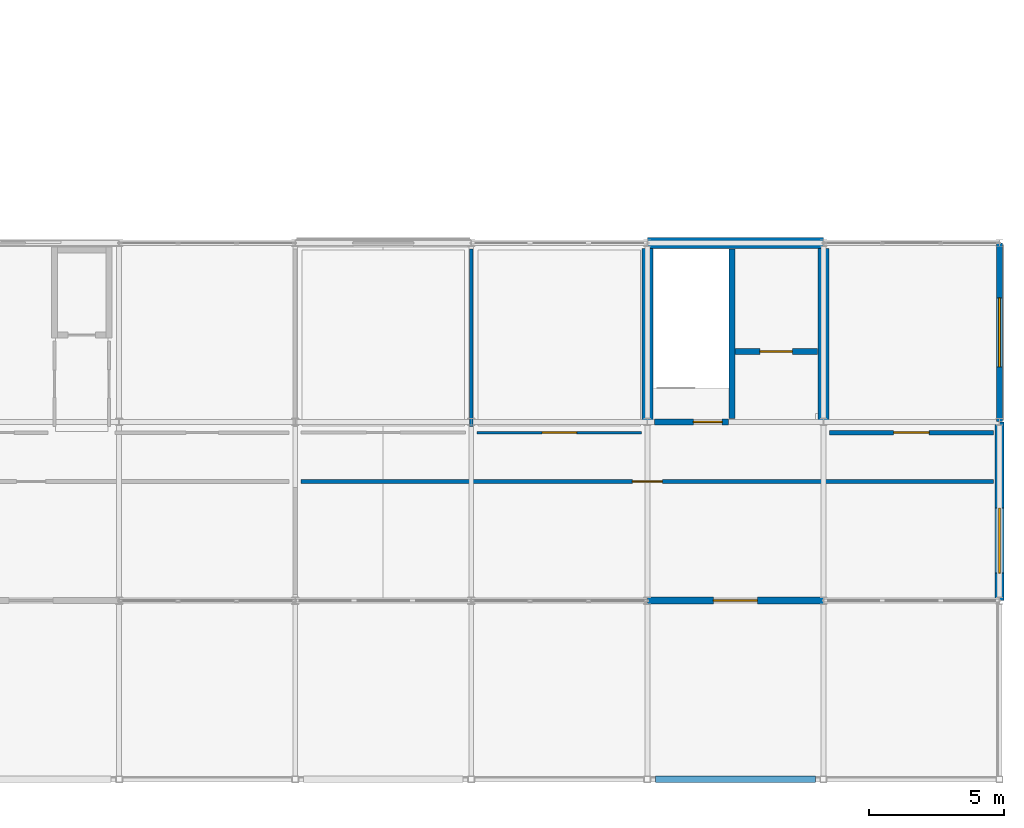
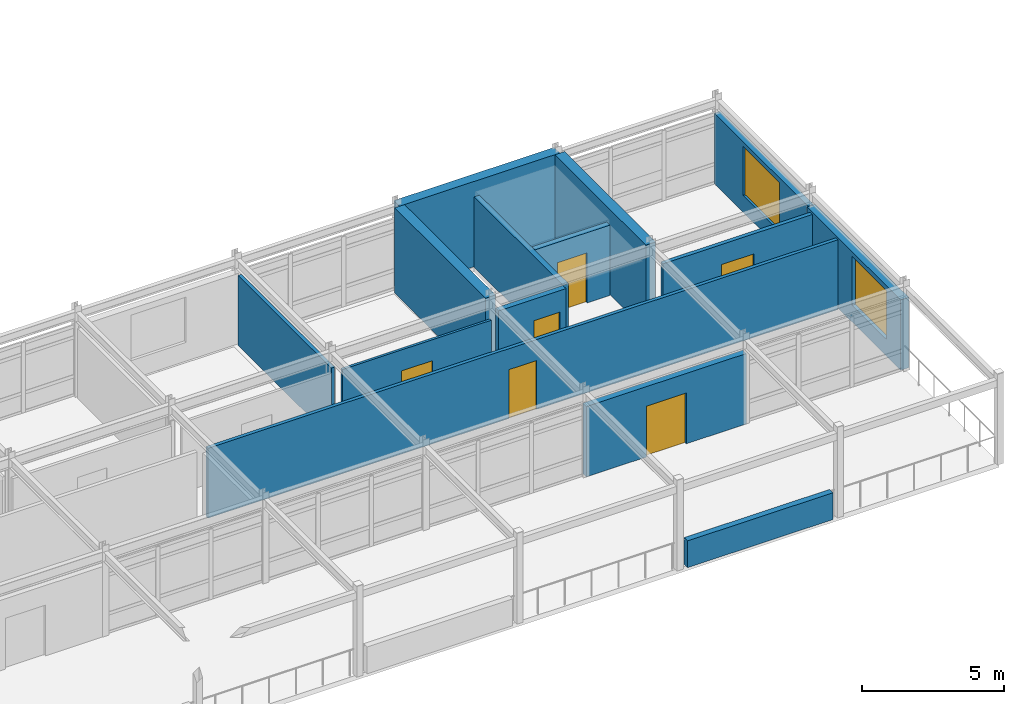
# One storey, part 17 of 20: 14 walls, 6 doors, 2 windows, 8 openings.
"""IFC4 building model written with IfcOpenShell, lengths in metres."""

from ifc_helpers import new_model, si_unit, direction, frame, frame_2d, origin, place, context, subcontext, project, spatial, rectangle, extrude, material, layer, layer_set, type_object, element, fill, save


model = new_model("IFC4")

# Units and contexts
model_context = context("Model", 3, precision=1e-05, world=origin(), true_north=direction((0.0, 1.0)))
body_context = subcontext(model_context, "Body", "Model", "MODEL_VIEW")
ifc_project = project(units=[si_unit("LENGTHUNIT", "METRE"), si_unit("AREAUNIT", "SQUARE_METRE"), si_unit("VOLUMEUNIT", "CUBIC_METRE"), si_unit("PLANEANGLEUNIT", "RADIAN"), si_unit("MASSUNIT", "GRAM", prefix="KILO")], contexts=[model_context])

# Site, building, storey
site_placement = place(None, origin())
site = spatial("IfcSite", under=ifc_project, at=site_placement, CompositionType="ELEMENT")
building_placement = place(site_placement, origin())
building = spatial("IfcBuilding", under=site, at=building_placement, Name="Trelmorton Wharf Fire Station", CompositionType="ELEMENT")
storey_placement = place(building_placement, frame((0.0, 0.0, 21.300048828125)))
storey = spatial("IfcBuildingStorey", under=building, at=storey_placement, Name="L05", CompositionType="ELEMENT", Elevation=21.300048828125)

# Wall
ifc_material_1 = material(Name="Signal-red architectural steel Grade 350", Category="steel")
ifc_layer_1 = layer(ifc_material_1, 0.239990234375)
ifc_layer_set_1 = layer_set([ifc_layer_1], Name="Signal-red architectural steel Grade 350")
wall_type_1 = type_object("IfcWallType", Name="EW_PARA_RED", PredefinedType="PARAPET", material=ifc_layer_set_1)
wall_1_placement = place(storey_placement, frame((149.199951171875, 7.800048828125, 0.0), z_axis=(0.0, 0.0, 1.0), x_axis=(-1.0, 0.0, 0.0)))
element("IfcWall", 1, at=wall_1_placement, inside=storey, type_object=wall_type_1, Name="WL-PARA-NOTCH-03", PredefinedType="PARAPET", context=body_context, shape_type="SweptSolid", body=[
    extrude(rectangle(XDim=5.89990234375, YDim=0.239990234375, at=frame_2d((2.949951171875, 0.0))), origin(), (0.0, 0.0, 1.0), 1.14990234375),
])

# Wall, opening, window
ifc_material_2 = material(Name="Precast concrete 45 MPa", Category="concrete")
ifc_layer_2 = layer(ifc_material_2, 0.22998046875)
ifc_layer_set_2 = layer_set([ifc_layer_2], Name="Precast concrete 45 MPa")
wall_type_2 = type_object("IfcWallType", Name="EW_PREC_230", PredefinedType="SOLIDWALL", material=ifc_layer_set_2)
wall_2_placement = place(storey_placement, frame((156.0, 27.594970703125, 0.0), z_axis=(0.0, 0.0, 1.0), x_axis=(0.0, -1.0, 0.0)))
wall_2 = element("IfcWall", 2, at=wall_2_placement, inside=storey, type_object=wall_type_2, Name="EW-V5-L05-0120", PredefinedType="SOLIDWALL", context=body_context, shape_type="SweptSolid", body=[
    extrude(rectangle(XDim=6.590087890625, YDim=0.22998046875, at=frame_2d((3.294921875, 0.0))), origin(), (0.0, 0.0, 1.0), 3.02001953125),
])
opening_1_placement = place(wall_2_placement, frame((2.02001953125, 0.0, 0.719970703125)))
opening_1 = element("IfcOpeningElement", 3, at=opening_1_placement, cuts=wall_2, Name="Opening W02", PredefinedType="OPENING", context=body_context, shape_type="SweptSolid", body=[
    extrude(rectangle(XDim=2.550048828125, YDim=2.10009765625, at=frame_2d((1.27490234375, 1.050048828125))), frame((0.0, 0.125, 0.0), z_axis=(0.0, -1.0, 0.0), x_axis=(1.0, 0.0, 0.0)), (0.0, 0.0, 1.0), 0.25),
])
ifc_material_3 = material(Name="Tempered low-E double glazing", Category="glass")
window_type_1 = type_object("IfcWindowType", Name="WIN_W02", PartitioningType="TRIPLE_PANEL_VERTICAL", PredefinedType="WINDOW", material=ifc_material_3)
window_1_placement = place(opening_1_placement, origin())
window_1 = element("IfcWindow", 4, at=window_1_placement, inside=storey, type_object=window_type_1, Name="WN-V5-L05-0064", OverallHeight=2.10009765625, OverallWidth=2.550048828125, PartitioningType="TRIPLE_PANEL_VERTICAL", PredefinedType="WINDOW", context=body_context, shape_type="SweptSolid", body=[
    extrude(rectangle(XDim=2.550048828125, YDim=2.10009765625, at=frame_2d((1.27490234375, 1.050048828125))), frame((0.0, 0.030029296875, 0.0), z_axis=(0.0, -1.0, 0.0), x_axis=(1.0, 0.0, 0.0)), (0.0, 0.0, 1.0), 0.06005859375),
])
fill(opening_1, window_1)

# Wall, opening, door
ifc_layer_3 = layer(ifc_material_2, 0.25)
ifc_layer_set_3 = layer_set([ifc_layer_3], Name="Precast concrete 45 MPa")
wall_type_3 = type_object("IfcWallType", Name="EW_PREC_250", PredefinedType="SOLIDWALL", material=ifc_layer_set_3)
wall_3_placement = place(storey_placement, frame((149.4951171875, 14.39990234375, 0.0), z_axis=(0.0, 0.0, 1.0), x_axis=(-1.0, 0.0, 0.0)))
wall_3 = element("IfcWall", 5, at=wall_3_placement, inside=storey, type_object=wall_type_3, Name="EW-V5-L05-0115", PredefinedType="SOLIDWALL", context=body_context, shape_type="SweptSolid", body=[
    extrude(rectangle(XDim=6.490234375, YDim=0.25, at=frame_2d((3.2451171875, 0.0))), origin(), (0.0, 0.0, 1.0), 3.02001953125),
])
opening_2_placement = place(wall_3_placement, frame((2.43505859375, 0.0, 0.0)))
opening_2 = element("IfcOpeningElement", 6, at=opening_2_placement, cuts=wall_3, Name="Opening TD-020", PredefinedType="OPENING", context=body_context, shape_type="SweptSolid", body=[
    extrude(rectangle(XDim=1.6201171875, YDim=2.179931640625, at=frame_2d((0.81005859375, 1.08984375))), frame((0.0, 0.135009765625, 0.0), z_axis=(0.0, -1.0, 0.0), x_axis=(1.0, 0.0, 0.0)), (0.0, 0.0, 1.0), 0.27001953125),
])
ifc_material_4 = material(Name="Anodised aluminium AW-6063", Category="aluminium")
door_type_1 = type_object("IfcDoorType", Name="DR_TER_DBL_162", OperationType="DOUBLE_DOOR_SINGLE_SWING", PredefinedType="DOOR", material=ifc_material_4)
door_1_placement = place(opening_2_placement, origin())
door_1 = element("IfcDoor", 7, at=door_1_placement, inside=storey, type_object=door_type_1, Name="Terrace Door TD-020", OperationType="DOUBLE_DOOR_SINGLE_SWING", OverallHeight=2.179931640625, OverallWidth=1.6201171875, PredefinedType="DOOR", context=body_context, shape_type="SweptSolid", body=[
    extrude(rectangle(XDim=1.6201171875, YDim=2.179931640625, at=frame_2d((0.81005859375, 1.08984375))), frame((0.0, 0.02490234375, 0.0), z_axis=(0.0, -1.0, 0.0), x_axis=(1.0, 0.0, 0.0)), (0.0, 0.0, 1.0), 0.050048828125),
])
fill(opening_2, door_1)

# Wall, opening, window
ifc_layer_4 = layer(ifc_material_2, 0.330078125)
ifc_layer_set_4 = layer_set([ifc_layer_4], Name="Precast concrete 45 MPa")
wall_type_4 = type_object("IfcWallType", Name="EW_TERR_330", PredefinedType="SOLIDWALL", material=ifc_layer_set_4)
wall_4_placement = place(storey_placement, frame((156.0, 20.9951171875, 0.0), z_axis=(0.0, 0.0, 1.0), x_axis=(0.0, -1.0, 0.0)))
wall_4 = element("IfcWall", 8, at=wall_4_placement, inside=storey, type_object=wall_type_4, Name="EW-V5-L05-0119", PredefinedType="SOLIDWALL", context=body_context, shape_type="SweptSolid", body=[
    extrude(rectangle(XDim=6.590087890625, YDim=0.330078125, at=frame_2d((3.294921875, 0.0))), origin(), (0.0, 0.0, 1.0), 3.02001953125),
])
opening_3_placement = place(wall_4_placement, frame((3.177490234375, 0.0, 0.719970703125)))
opening_3 = element("IfcOpeningElement", 9, at=opening_3_placement, cuts=wall_4, Name="Opening W01", PredefinedType="OPENING", context=body_context, shape_type="SweptSolid", body=[
    extrude(rectangle(XDim=2.39990234375, YDim=2.10009765625, at=frame_2d((1.199951171875, 1.050048828125))), frame((0.0, 0.175048828125, 0.0), z_axis=(0.0, -1.0, 0.0), x_axis=(1.0, 0.0, 0.0)), (0.0, 0.0, 1.0), 0.35009765625),
])
window_type_2 = type_object("IfcWindowType", Name="WIN_W01", PartitioningType="TRIPLE_PANEL_VERTICAL", PredefinedType="WINDOW", material=ifc_material_3)
window_2_placement = place(opening_3_placement, origin())
window_2 = element("IfcWindow", 10, at=window_2_placement, inside=storey, type_object=window_type_2, Name="WN-V5-L05-0063", OverallHeight=2.10009765625, OverallWidth=2.39990234375, PartitioningType="TRIPLE_PANEL_VERTICAL", PredefinedType="WINDOW", context=body_context, shape_type="SweptSolid", body=[
    extrude(rectangle(XDim=2.39990234375, YDim=2.10009765625, at=frame_2d((1.199951171875, 1.050048828125))), frame((0.0, 0.030029296875, 0.0), z_axis=(0.0, -1.0, 0.0), x_axis=(1.0, 0.0, 0.0)), (0.0, 0.0, 1.0), 0.06005859375),
])
fill(opening_3, window_2)

# Wall, opening, door
ifc_material_5 = material(Name="Gypsum plasterboard partition")
ifc_layer_5 = layer(ifc_material_5, 0.159912109375)
ifc_layer_set_5 = layer_set([ifc_layer_5], Name="Gypsum plasterboard partition")
wall_type_5 = type_object("IfcWallType", Name="IW_ACOU_160", PredefinedType="PARTITIONING", material=ifc_layer_set_5)
wall_5_placement = place(storey_placement, frame((149.719970703125, 20.60009765625, 0.0), z_axis=(0.0, 0.0, 1.0), x_axis=(1.0, 0.0, 0.0)))
wall_5 = element("IfcWall", 11, at=wall_5_placement, inside=storey, type_object=wall_type_5, Name="IW-L05-0253", PredefinedType="PARTITIONING", context=body_context, shape_type="SweptSolid", body=[
    extrude(rectangle(XDim=6.06005859375, YDim=0.159912109375, at=frame_2d((3.030029296875, 0.0))), origin(), (0.0, 0.0, 1.0), 3.0),
])
opening_4_placement = place(wall_5_placement, frame((2.375, 0.0, 0.0)))
opening_4 = element("IfcOpeningElement", 12, at=opening_4_placement, cuts=wall_5, Name="Opening D-173", PredefinedType="OPENING", context=body_context, shape_type="SweptSolid", body=[
    extrude(rectangle(XDim=1.31005859375, YDim=2.139892578125, at=frame_2d((0.655029296875, 1.06982421875))), frame((0.0, 0.08984375, 0.0), z_axis=(0.0, -1.0, 0.0), x_axis=(1.0, 0.0, 0.0)), (0.0, 0.0, 1.0), 0.179931640625),
])
ifc_material_6 = material(Name="Acoustic timber panelling", Category="wood")
door_type_2 = type_object("IfcDoorType", Name="DR_INT_131", OperationType="NOTDEFINED", PredefinedType="DOOR", material=ifc_material_6)
door_2_placement = place(opening_4_placement, origin())
door_2 = element("IfcDoor", 13, at=door_2_placement, inside=storey, type_object=door_type_2, Name="Interior Door D-173", OperationType="SINGLE_SWING_LEFT", OverallHeight=2.139892578125, OverallWidth=1.31005859375, PredefinedType="DOOR", context=body_context, shape_type="SweptSolid", body=[
    extrude(rectangle(XDim=1.31005859375, YDim=2.139892578125, at=frame_2d((0.655029296875, 1.06982421875))), frame((0.0, 0.02490234375, 0.0), z_axis=(0.0, -1.0, 0.0), x_axis=(1.0, 0.0, 0.0)), (0.0, 0.0, 1.0), 0.050048828125),
])
fill(opening_4, door_2)

# Wall
ifc_material_7 = material(Name="Concrete 40 MPa", Category="concrete")
ifc_layer_6 = layer(ifc_material_7, 0.219970703125)
ifc_layer_set_6 = layer_set([ifc_layer_6], Name="Concrete 40 MPa")
wall_type_6 = type_object("IfcWallType", Name="IW_CORE_220", PredefinedType="SOLIDWALL", material=ifc_layer_set_6)
wall_6_placement = place(storey_placement, frame((146.1201171875, 21.1201171875, 0.0), z_axis=(0.0, 0.0, 1.0), x_axis=(0.0, 1.0, 0.0)))
element("IfcWall", 14, at=wall_6_placement, inside=storey, type_object=wall_type_6, Name="IW-C4-DIV-L05", PredefinedType="SOLIDWALL", context=body_context, shape_type="SweptSolid", body=[
    extrude(rectangle(XDim=6.2548828125, YDim=0.219970703125, at=frame_2d((3.12744140625, 0.0))), origin(), (0.0, 0.0, 1.0), 3.02001953125),
])

# Wall, opening, door
wall_7_placement = place(storey_placement, frame((143.260009765625, 21.0, 0.0), z_axis=(0.0, 0.0, 1.0), x_axis=(1.0, 0.0, 0.0)))
wall_7 = element("IfcWall", 15, at=wall_7_placement, inside=storey, type_object=wall_type_6, Name="IW-C4-SF-L05", PredefinedType="SOLIDWALL", context=body_context, shape_type="SweptSolid", body=[
    extrude(rectangle(XDim=2.739990234375, YDim=0.219970703125, at=frame_2d((1.3701171875, 0.0))), origin(), (0.0, 0.0, 1.0), 3.02001953125),
])
opening_5_placement = place(wall_7_placement, frame((1.43994140625, 0.0, 0.0)))
opening_5 = element("IfcOpeningElement", 16, at=opening_5_placement, cuts=wall_7, Name="Opening FD-022", PredefinedType="OPENING", context=body_context, shape_type="SweptSolid", body=[
    extrude(rectangle(XDim=1.06005859375, YDim=2.10009765625, at=frame_2d((0.530029296875, 1.050048828125))), frame((0.0, 0.1201171875, 0.0), z_axis=(0.0, -1.0, 0.0), x_axis=(1.0, 0.0, 0.0)), (0.0, 0.0, 1.0), 0.239990234375),
])
ifc_material_8 = material(Name="Stainless steel 316 marine grade", Category="steel")
door_type_3 = type_object("IfcDoorType", Name="DR_FIRE_106", OperationType="NOTDEFINED", PredefinedType="DOOR", material=ifc_material_8)
door_3_placement = place(opening_5_placement, origin())
door_3 = element("IfcDoor", 17, at=door_3_placement, inside=storey, type_object=door_type_3, Name="Stair Fire Door FD-022", OperationType="SINGLE_SWING_RIGHT", OverallHeight=2.10009765625, OverallWidth=1.06005859375, PredefinedType="DOOR", context=body_context, shape_type="SweptSolid", body=[
    extrude(rectangle(XDim=1.06005859375, YDim=2.10009765625, at=frame_2d((0.530029296875, 1.050048828125))), frame((0.0, 0.02490234375, 0.0), z_axis=(0.0, -1.0, 0.0), x_axis=(1.0, 0.0, 0.0)), (0.0, 0.0, 1.0), 0.050048828125),
])
fill(opening_5, door_3)

wall_8_placement = place(storey_placement, frame((146.239990234375, 23.60009765625, 0.0), z_axis=(0.0, 0.0, 1.0), x_axis=(1.0, 0.0, 0.0)))
wall_8 = element("IfcWall", 18, at=wall_8_placement, inside=storey, type_object=wall_type_6, Name="IW-C4-LSH-L05", PredefinedType="SOLIDWALL", context=body_context, shape_type="SweptSolid", body=[
    extrude(rectangle(XDim=3.034912109375, YDim=0.219970703125, at=frame_2d((1.517578125, 0.0))), origin(), (0.0, 0.0, 1.0), 3.02001953125),
])
opening_6_placement = place(wall_8_placement, frame((0.91748046875, 0.0, 0.0)))
opening_6 = element("IfcOpeningElement", 19, at=opening_6_placement, cuts=wall_8, Name="Opening LD-022", PredefinedType="OPENING", context=body_context, shape_type="SweptSolid", body=[
    extrude(rectangle(XDim=1.199951171875, YDim=2.14990234375, at=frame_2d((0.60009765625, 1.074951171875))), frame((0.0, 0.1201171875, 0.0), z_axis=(0.0, -1.0, 0.0), x_axis=(1.0, 0.0, 0.0)), (0.0, 0.0, 1.0), 0.239990234375),
])
door_type_4 = type_object("IfcDoorType", Name="DR_LIFT_120", OperationType="DOUBLE_DOOR_SLIDING", PredefinedType="DOOR", material=ifc_material_8)
door_4_placement = place(opening_6_placement, origin())
door_4 = element("IfcDoor", 20, at=door_4_placement, inside=storey, type_object=door_type_4, Name="Lift Landing Door LD-022", OperationType="DOUBLE_DOOR_SLIDING", OverallHeight=2.14990234375, OverallWidth=1.199951171875, PredefinedType="DOOR", context=body_context, shape_type="SweptSolid", body=[
    extrude(rectangle(XDim=1.199951171875, YDim=2.14990234375, at=frame_2d((0.60009765625, 1.074951171875))), frame((0.0, 0.02490234375, 0.0), z_axis=(0.0, -1.0, 0.0), x_axis=(1.0, 0.0, 0.0)), (0.0, 0.0, 1.0), 0.050048828125),
])
fill(opening_6, door_4)

ifc_layer_7 = layer(ifc_material_5, 0.10009765625)
ifc_layer_set_7 = layer_set([ifc_layer_7], Name="Gypsum plasterboard partition")
wall_type_7 = type_object("IfcWallType", Name="IW_PART_100", PredefinedType="PARTITIONING", material=ifc_layer_set_7)
wall_9_placement = place(storey_placement, frame((136.719970703125, 20.60009765625, 0.0), z_axis=(0.0, 0.0, 1.0), x_axis=(1.0, 0.0, 0.0)))
wall_9 = element("IfcWall", 21, at=wall_9_placement, inside=storey, type_object=wall_type_7, Name="IW-L05-0252", PredefinedType="PARTITIONING", context=body_context, shape_type="SweptSolid", body=[
    extrude(rectangle(XDim=6.06005859375, YDim=0.10009765625, at=frame_2d((3.030029296875, 0.0))), origin(), (0.0, 0.0, 1.0), 3.0),
])
opening_7_placement = place(wall_9_placement, frame((2.39501953125, 0.0, 0.0)))
opening_7 = element("IfcOpeningElement", 22, at=opening_7_placement, cuts=wall_9, Name="Opening D-172", PredefinedType="OPENING", context=body_context, shape_type="SweptSolid", body=[
    extrude(rectangle(XDim=1.27001953125, YDim=2.10009765625, at=frame_2d((0.635009765625, 1.050048828125))), frame((0.0, 0.06005859375, 0.0), z_axis=(0.0, -1.0, 0.0), x_axis=(1.0, 0.0, 0.0)), (0.0, 0.0, 1.0), 0.1201171875),
])
door_type_5 = type_object("IfcDoorType", Name="DR_INT_127", OperationType="NOTDEFINED", PredefinedType="DOOR", material=ifc_material_6)
door_5_placement = place(opening_7_placement, origin())
door_5 = element("IfcDoor", 23, at=door_5_placement, inside=storey, type_object=door_type_5, Name="Interior Door D-172", OperationType="SINGLE_SWING_RIGHT", OverallHeight=2.10009765625, OverallWidth=1.27001953125, PredefinedType="DOOR", context=body_context, shape_type="SweptSolid", body=[
    extrude(rectangle(XDim=1.27001953125, YDim=2.10009765625, at=frame_2d((0.635009765625, 1.050048828125))), frame((0.0, 0.02490234375, 0.0), z_axis=(0.0, -1.0, 0.0), x_axis=(1.0, 0.0, 0.0)), (0.0, 0.0, 1.0), 0.050048828125),
])
fill(opening_7, door_5)

ifc_layer_8 = layer(ifc_material_5, 0.139892578125)
ifc_layer_set_8 = layer_set([ifc_layer_8], Name="Gypsum plasterboard partition")
wall_type_8 = type_object("IfcWallType", Name="IW_PART_140", PredefinedType="PARTITIONING", material=ifc_layer_set_8)
wall_10_placement = place(storey_placement, frame((130.219970703125, 18.800048828125, 0.0), z_axis=(0.0, 0.0, 1.0), x_axis=(1.0, 0.0, 0.0)))
wall_10 = element("IfcWall", 24, at=wall_10_placement, inside=storey, type_object=wall_type_8, Name="IW-L05-0248", PredefinedType="PARTITIONING", context=body_context, shape_type="SweptSolid", body=[
    extrude(rectangle(XDim=25.56005859375, YDim=0.139892578125, at=frame_2d((12.780029296875, 0.0))), origin(), (0.0, 0.0, 1.0), 3.0),
])
opening_8_placement = place(wall_10_placement, frame((12.22509765625, 0.0, 0.0)))
opening_8 = element("IfcOpeningElement", 25, at=opening_8_placement, cuts=wall_10, Name="Opening D-168", PredefinedType="OPENING", context=body_context, shape_type="SweptSolid", body=[
    extrude(rectangle(XDim=1.110107421875, YDim=2.10009765625, at=frame_2d((0.55517578125, 1.050048828125))), frame((0.0, 0.080078125, 0.0), z_axis=(0.0, -1.0, 0.0), x_axis=(1.0, 0.0, 0.0)), (0.0, 0.0, 1.0), 0.159912109375),
])
door_type_6 = type_object("IfcDoorType", Name="DR_INT_111", OperationType="NOTDEFINED", PredefinedType="DOOR", material=ifc_material_6)
door_6_placement = place(opening_8_placement, origin())
door_6 = element("IfcDoor", 26, at=door_6_placement, inside=storey, type_object=door_type_6, Name="Interior Door D-168", OperationType="SINGLE_SWING_RIGHT", OverallHeight=2.10009765625, OverallWidth=1.110107421875, PredefinedType="DOOR", context=body_context, shape_type="SweptSolid", body=[
    extrude(rectangle(XDim=1.110107421875, YDim=2.10009765625, at=frame_2d((0.55517578125, 1.050048828125))), frame((0.0, 0.02490234375, 0.0), z_axis=(0.0, -1.0, 0.0), x_axis=(1.0, 0.0, 0.0)), (0.0, 0.0, 1.0), 0.050048828125),
])
fill(opening_8, door_6)

# Walls
wall_11_placement = place(storey_placement, frame((136.5, 20.820068359375, 0.0), z_axis=(0.0, 0.0, 1.0), x_axis=(0.0, 1.0, 0.0)))
element("IfcWall", 27, at=wall_11_placement, inside=storey, type_object=wall_type_8, Name="IW-L05-0255", PredefinedType="PARTITIONING", context=body_context, shape_type="SweptSolid", body=[
    extrude(rectangle(XDim=6.559814453125, YDim=0.139892578125, at=frame_2d((3.27978515625, 0.0))), origin(), (0.0, 0.0, 1.0), 3.0),
])
ifc_material_9 = material(Name="Concrete 50 MPa", Category="concrete")
ifc_layer_9 = layer(ifc_material_9, 0.39990234375)
ifc_layer_set_9 = layer_set([ifc_layer_9], Name="Concrete 50 MPa")
wall_type_9 = type_object("IfcWallType", Name="WL_CORE_400", PredefinedType="SHEAR", material=ifc_layer_set_9)
wall_12_placement = place(storey_placement, frame((143.0, 27.60009765625, 0.0), z_axis=(0.0, 0.0, 1.0), x_axis=(1.0, 0.0, 0.0)))
element("IfcWall", 28, at=wall_12_placement, inside=storey, type_object=wall_type_9, Name="WL-SW-C4-L05-064", PredefinedType="SHEAR", context=body_context, shape_type="SweptSolid", body=[
    extrude(rectangle(XDim=6.5, YDim=0.39990234375, at=frame_2d((3.25, 0.0))), origin(), (0.0, 0.0, 1.0), 3.659912109375),
])
for number, where, z_axis, x_axis, name in (
    (29, (143.0, 21.0, 0.0), (0.0, 0.0, 1.0), (0.0, 1.0, 0.0), "WL-SW-C4-L05-065"),
    (30, (149.5, 21.0, 0.0), (0.0, 0.0, 1.0), (0.0, 1.0, 0.0), "WL-SW-C4-L05-066"),
):
    element("IfcWall", number, at=place(storey_placement, frame(where, z_axis=z_axis, x_axis=x_axis)), inside=storey, type_object=wall_type_9, Name=name, PredefinedType="SHEAR", context=body_context, shape_type="SweptSolid", body=[
        extrude(rectangle(XDim=6.39990234375, YDim=0.39990234375, at=frame_2d((3.199951171875, 0.0))), origin(), (0.0, 0.0, 1.0), 3.659912109375),
    ])

save(model, "model.ifc")
